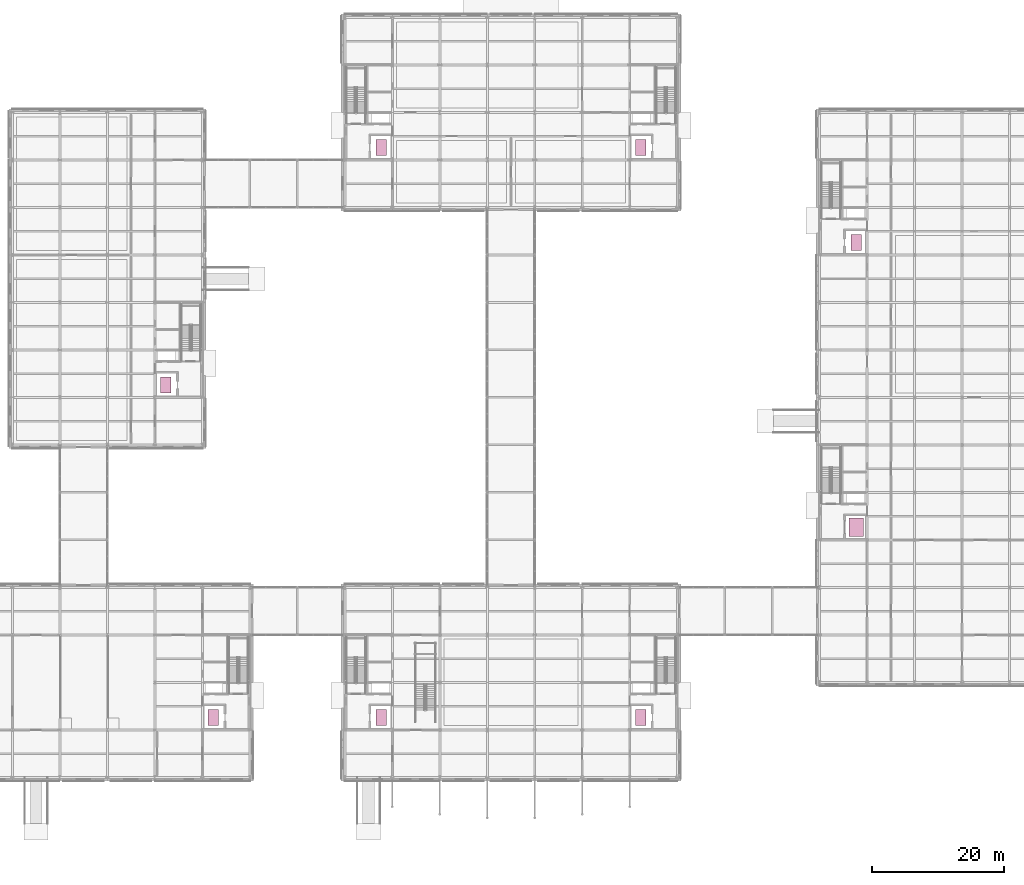
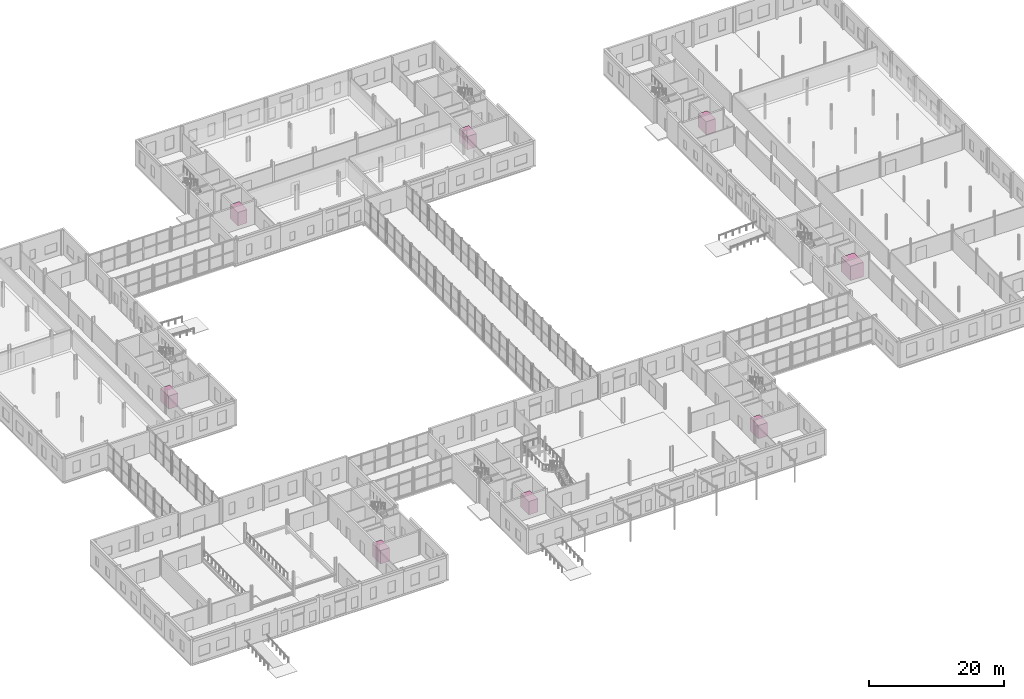
# One storey, part 92 of 92: 8 transport elements.
"""IFC4 building model written with IfcOpenShell, lengths in metres."""

from ifc_helpers import new_model, si_unit, direction, frame, origin, origin_2d, place, context, subcontext, project, spatial, rectangle, extrude, material, type_object, element, save


model = new_model("IFC4")

# Units and contexts
model_context = context("Model", 3, precision=1e-05, world=origin(), true_north=direction((0.0, 1.0)))
body_context = subcontext(model_context, "Body", "Model", "MODEL_VIEW")
ifc_project = project(units=[si_unit("LENGTHUNIT", "METRE"), si_unit("AREAUNIT", "SQUARE_METRE"), si_unit("VOLUMEUNIT", "CUBIC_METRE"), si_unit("PLANEANGLEUNIT", "RADIAN"), si_unit("MASSUNIT", "GRAM", prefix="KILO")], contexts=[model_context])

# Site, building, storey
site_placement = place(None, origin())
site = spatial("IfcSite", under=ifc_project, at=site_placement, CompositionType="ELEMENT")
building_placement = place(site_placement, origin())
building = spatial("IfcBuilding", under=site, at=building_placement, Name="Zlatovets Crest Museum", CompositionType="ELEMENT")
storey_placement = place(building_placement, origin())
storey = spatial("IfcBuildingStorey", under=building, at=storey_placement, Name="L00", CompositionType="ELEMENT", Elevation=0.0)

# Transport elements
ifc_material_1 = material(Name="Heavy-duty stainless artwork freight elevator cab")
transport_element_type_1 = type_object("IfcTransportElementType", Name="Goods Lift", PredefinedType="ELEVATOR", material=ifc_material_1)
transport_element_placement = place(storey_placement, frame((135.125, 37.89990234375, 0.0), z_axis=(0.0, 0.0, 1.0), x_axis=(1.0, 0.0, 0.0)))
element("IfcTransportElement", 1, at=transport_element_placement, inside=storey, type_object=transport_element_type_1, Name="Goods Lift GL1", PredefinedType="ELEVATOR", context=body_context, shape_type="SweptSolid", body=[
    extrude(rectangle(XDim=2.199951171875, YDim=2.800048828125, at=origin_2d()), origin(), (0.0, 0.0, 1.0), 2.60009765625),
])
ifc_material_2 = material(Name="Stainless steel and bronze elevator cab", Category="steel")
transport_element_type_2 = type_object("IfcTransportElementType", Name="Lift_Firefighting", PredefinedType="ELEVATOR", material=ifc_material_2)
for number, where, z_axis, x_axis, name in (
    (2, (63.125, 95.5, 0.0), (0.0, 0.0, 1.0), (1.0, 0.0, 0.0), "Firefighting Lift FL1"),
    (3, (102.47509765625, 95.5, 0.0), (0.0, 0.0, 1.0), (1.0, 0.0, 0.0), "Firefighting Lift FL2"),
):
    element("IfcTransportElement", number, at=place(storey_placement, frame(where, z_axis=z_axis, x_axis=x_axis)), inside=storey, type_object=transport_element_type_2, Name=name, PredefinedType="ELEVATOR", context=body_context, shape_type="SweptSolid", body=[
        extrude(rectangle(XDim=1.60009765625, YDim=2.39990234375, at=origin_2d()), origin(), (0.0, 0.0, 1.0), 2.39990234375),
    ])
ifc_material_3 = material(Name="Bronze and oak visitor elevator cab")
transport_element_type_3 = type_object("IfcTransportElementType", Name="Lift_Passenger", PredefinedType="ELEVATOR", material=ifc_material_3)
for number, where, z_axis, x_axis, name in (
    (4, (63.125, 9.10009765625, 0.0), (0.0, 0.0, 1.0), (1.0, 0.0, 0.0), "Passenger Lift PL3"),
    (5, (37.675048828125, 9.10009765625, 0.0), (0.0, 0.0, 1.0), (1.0, 0.0, 0.0), "Passenger Lift PL1"),
    (6, (30.47509765625, 59.5, 0.0), (0.0, 0.0, 1.0), (1.0, 0.0, 0.0), "Passenger Lift PL2"),
    (7, (135.125, 81.10009765625, 0.0), (0.0, 0.0, 1.0), (1.0, 0.0, 0.0), "Passenger Lift PL4"),
    (8, (102.47509765625, 9.10009765625, 0.0), (0.0, 0.0, 1.0), (1.0, 0.0, 0.0), "Passenger Lift PL5"),
):
    element("IfcTransportElement", number, at=place(storey_placement, frame(where, z_axis=z_axis, x_axis=x_axis)), inside=storey, type_object=transport_element_type_3, Name=name, PredefinedType="ELEVATOR", context=body_context, shape_type="SweptSolid", body=[
        extrude(rectangle(XDim=1.60009765625, YDim=2.39990234375, at=origin_2d()), origin(), (0.0, 0.0, 1.0), 2.39990234375),
    ])

save(model, "model.ifc")
